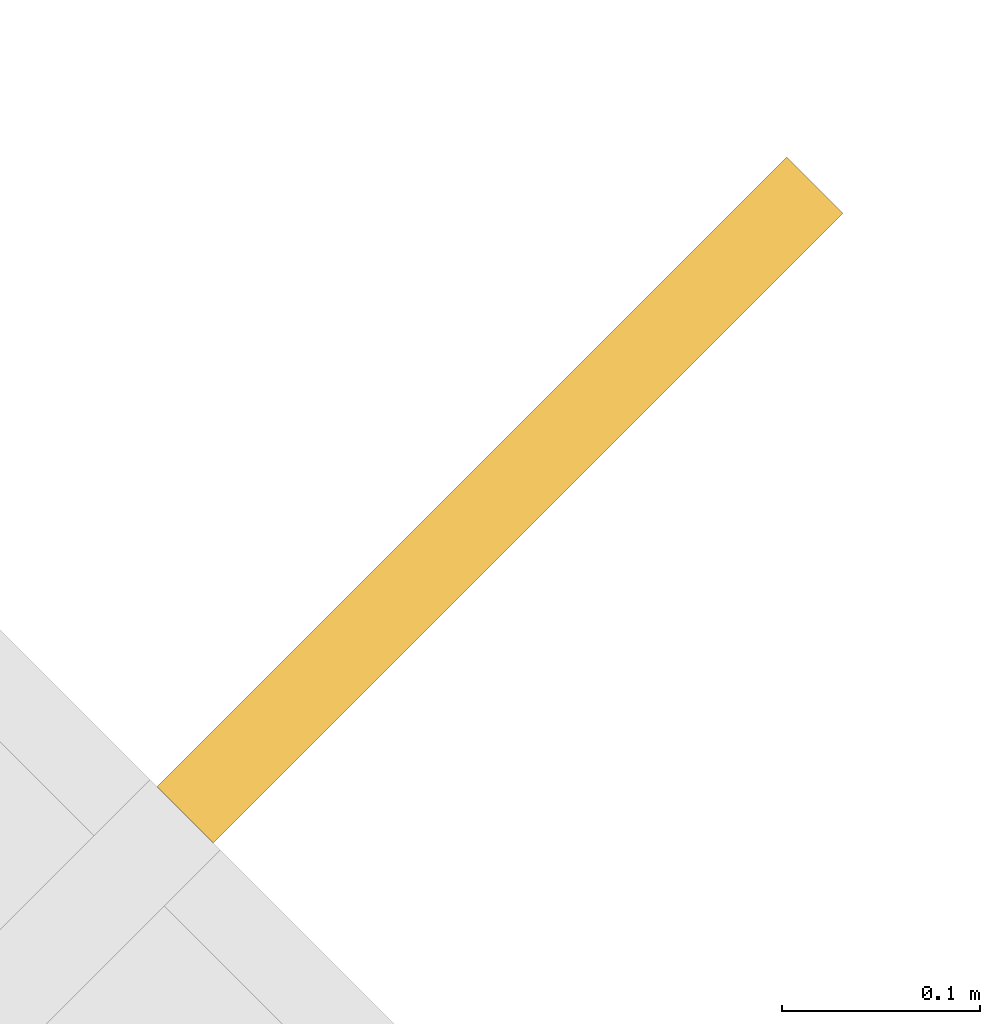
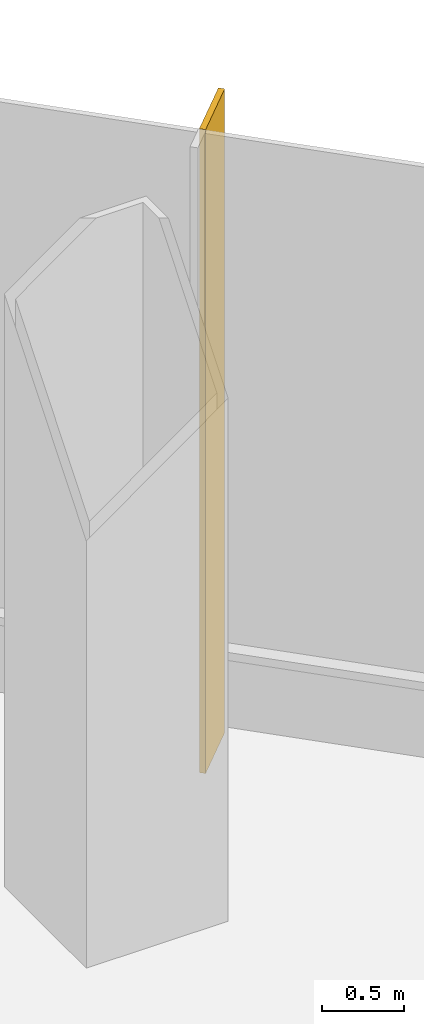
# One storey, part 32 of 33: 1 shading device.
"""IFC4 building model written with IfcOpenShell, lengths in metres."""

from ifc_helpers import new_model, si_unit, direction, frame, origin, origin_2d, place, context, subcontext, project, spatial, rectangle, extrude, material, material_profile, profile_set, type_object, element, save


model = new_model("IFC4")

# Units and contexts
model_context = context("Model", 3, precision=1e-05, world=origin(), true_north=direction((0.0, 1.0)))
body_context = subcontext(model_context, "Body", "Model", "MODEL_VIEW")
ifc_project = project(units=[si_unit("LENGTHUNIT", "METRE"), si_unit("AREAUNIT", "SQUARE_METRE"), si_unit("VOLUMEUNIT", "CUBIC_METRE"), si_unit("PLANEANGLEUNIT", "RADIAN"), si_unit("MASSUNIT", "GRAM", prefix="KILO")], contexts=[model_context])

# Site, building, storey
site_placement = place(None, origin())
site = spatial("IfcSite", under=ifc_project, at=site_placement, CompositionType="ELEMENT")
building_placement = place(site_placement, origin())
building = spatial("IfcBuilding", under=site, at=building_placement, Name="Sorahane Residences", CompositionType="ELEMENT")
storey_placement = place(building_placement, frame((0.0, 0.0, 25.199951171875)))
storey = spatial("IfcBuildingStorey", under=building, at=storey_placement, Name="L03", CompositionType="ELEMENT", Elevation=25.199951171875)

# Shading device
ifc_material = material(Name="Terracotta anodised aluminium", Category="masonry")
ifc_material_profile = material_profile(ifc_material, rectangle(XDim=0.449951171875, YDim=0.0400390625, at=origin_2d()), Name="Podium vertical fin terracotta anodised aluminium 450x40")
ifc_profile_set = profile_set([ifc_material_profile], Name="Terracotta anodised aluminium")
shading_device_type = type_object("IfcShadingDeviceType", Name="Podium vertical fin terracotta anodised aluminium 450x40", PredefinedType="USERDEFINED", material=ifc_profile_set)
shading_device_placement = place(storey_placement, frame((67.597412109375, 49.597412109375, -0.39990234375), z_axis=(0.0, 0.0, 1.0), x_axis=(0.707106781187, 0.707106781187, 0.0)))
element("IfcShadingDevice", 1, at=shading_device_placement, inside=storey, type_object=shading_device_type, Name="Podium vertical fin L03 NE1.1", ObjectType="Vertical fin", PredefinedType="USERDEFINED", context=body_context, shape_type="SweptSolid", body=[
    extrude(rectangle(XDim=0.449951171875, YDim=0.0400390625, at=origin_2d()), origin(), (0.0, 0.0, 1.0), 4.800048828125),
])

save(model, "model.ifc")
